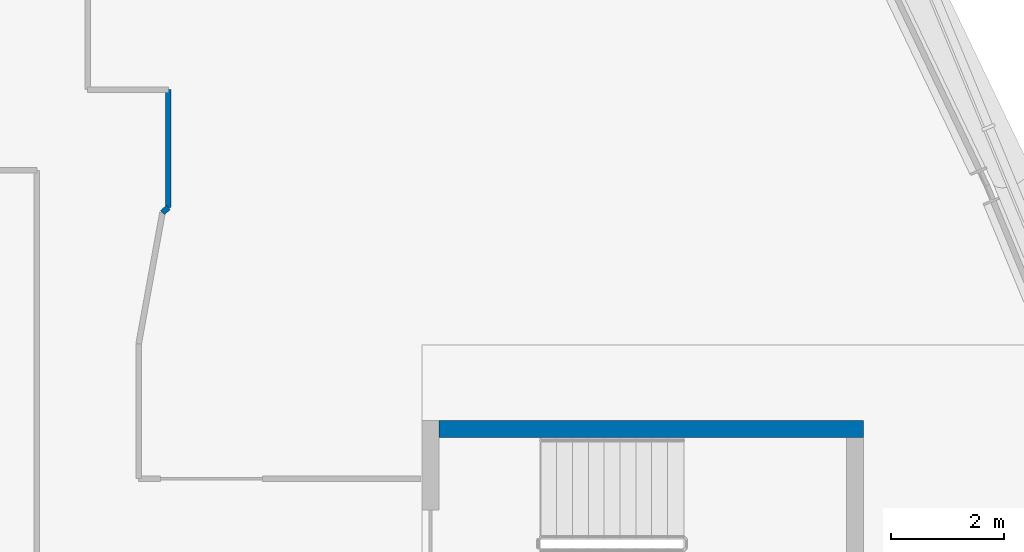
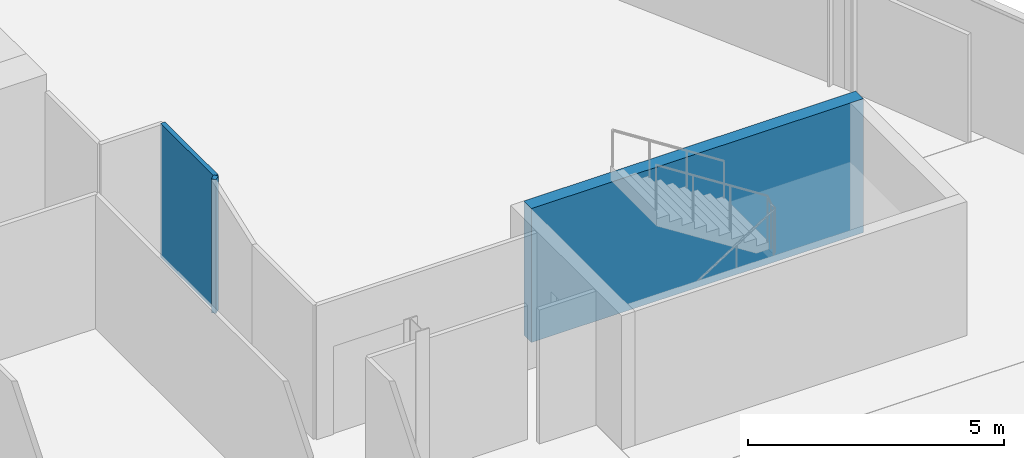
# One storey, part 17 of 26: 3 walls.
"""IFC4 building model written with IfcOpenShell, lengths in metres."""

from ifc_helpers import new_model, si_unit, direction, frame, frame_2d, origin, place, context, subcontext, project, spatial, rectangle, extrude, material, layer, layer_set, type_object, element, save


model = new_model("IFC4")

# Units and contexts
model_context = context("Model", 3, precision=1e-05, world=origin(), true_north=direction((0.0, 1.0)))
body_context = subcontext(model_context, "Body", "Model", "MODEL_VIEW")
ifc_project = project(units=[si_unit("LENGTHUNIT", "METRE"), si_unit("AREAUNIT", "SQUARE_METRE"), si_unit("VOLUMEUNIT", "CUBIC_METRE"), si_unit("PLANEANGLEUNIT", "RADIAN"), si_unit("MASSUNIT", "GRAM", prefix="KILO")], contexts=[model_context])

# Site, building, storey
site_placement = place(None, origin())
site = spatial("IfcSite", under=ifc_project, at=site_placement, CompositionType="ELEMENT")
building_placement = place(site_placement, origin())
building = spatial("IfcBuilding", under=site, at=building_placement, Name="Wharfspan Tower", CompositionType="ELEMENT")
storey_placement = place(building_placement, frame((0.0, 0.0, 184.300049)))
storey = spatial("IfcBuildingStorey", under=building, at=storey_placement, Name="L45", CompositionType="ELEMENT", Elevation=184.300049)

# Walls
ifc_material_1 = material(Name="Gypsum board on steel studs", Category="steel")
ifc_layer_1 = layer(ifc_material_1, 0.100098)
ifc_layer_set_1 = layer_set([ifc_layer_1], Name="Gypsum board on steel studs")
wall_type_1 = type_object("IfcWallType", Name="Compartment wall 100 EI 60", PredefinedType="PARTITIONING", material=ifc_layer_set_1)
wall_1_placement = place(storey_placement, frame((59.320068, 29.75, 0.0), z_axis=(0.0, 0.0, 1.0), x_axis=(0.741581, 0.670872, 0.0)))
element("IfcWall", 1, at=wall_1_placement, inside=storey, type_object=wall_type_1, Name="Partition L45.w041", PredefinedType="PARTITIONING", context=body_context, shape_type="SweptSolid", body=[
    extrude(rectangle(XDim=0.141602, YDim=0.100098, at=frame_2d((0.070801, 0.0))), origin(), (0.0, 0.0, 1.0), 3.199951),
])
wall_2_placement = place(storey_placement, frame((59.425049, 29.844971, 0.0), z_axis=(0.0, 0.0, 1.0), x_axis=(0.0, 1.0, 0.0)))
element("IfcWall", 2, at=wall_2_placement, inside=storey, type_object=wall_type_1, Name="Partition L45.w042", PredefinedType="PARTITIONING", context=body_context, shape_type="SweptSolid", body=[
    extrude(rectangle(XDim=2.080078, YDim=0.100098, at=frame_2d((1.040039, 0.0))), origin(), (0.0, 0.0, 1.0), 3.199951),
])
ifc_material_2 = material(Name="Concrete C40/50", Category="concrete")
ifc_layer_2 = layer(ifc_material_2, 0.300049)
ifc_layer_set_2 = layer_set([ifc_layer_2], Name="Concrete C40/50")
wall_type_2 = type_object("IfcWallType", Name="Stair core wall 300", PredefinedType="SHEAR", material=ifc_layer_set_2)
wall_3_placement = place(storey_placement, frame((64.20459, 25.925049, 0.0), z_axis=(0.0, 0.0, 1.0), x_axis=(1.0, 0.0, 0.0)))
element("IfcWall", 3, at=wall_3_placement, inside=storey, type_object=wall_type_2, Name="ST6 stair enclosure wall L45", PredefinedType="SHEAR", context=body_context, shape_type="SweptSolid", body=[
    extrude(rectangle(XDim=7.5, YDim=0.300049, at=frame_2d((3.75, 0.0))), origin(), (0.0, 0.0, 1.0), 3.199951),
])

save(model, "model.ifc")
